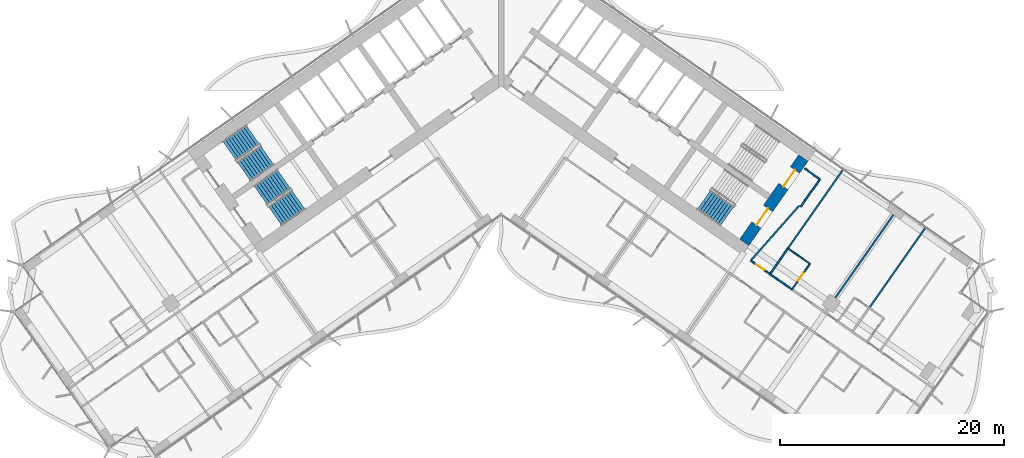
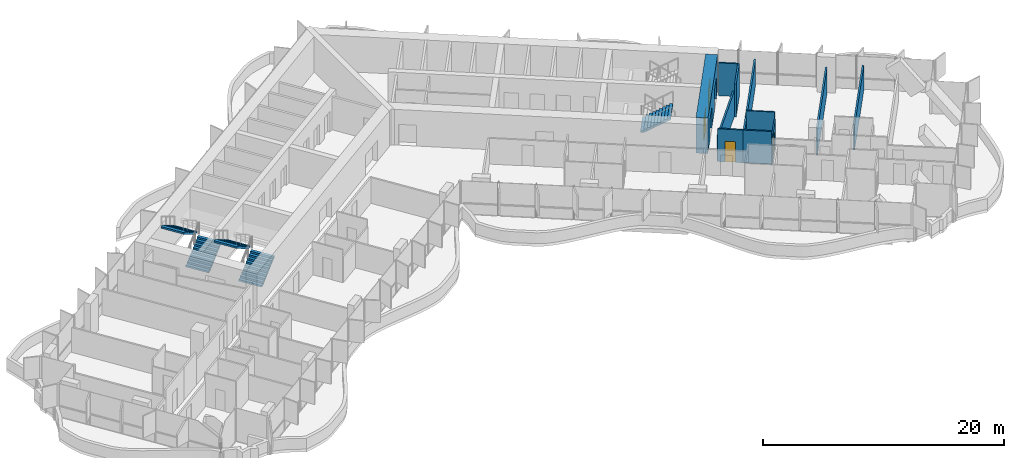
# One storey, part 17 of 24: 12 walls, 5 stair flights, 4 doors, 4 openings, 3 elements without a shape of their own.
"""IFC4 building model written with IfcOpenShell, lengths in metres."""

from ifc_helpers import new_model, si_unit, direction, frame, frame_2d, origin, place, context, subcontext, project, spatial, polyline, rectangle, outline, extrude, material, layer, layer_set, type_object, element, fill, aggregate, save


model = new_model("IFC4")

# Units and contexts
model_context = context("Model", 3, precision=1e-05, world=origin(), true_north=direction((0.0, 1.0)))
body_context = subcontext(model_context, "Body", "Model", "MODEL_VIEW")
ifc_project = project(units=[si_unit("LENGTHUNIT", "METRE"), si_unit("AREAUNIT", "SQUARE_METRE"), si_unit("VOLUMEUNIT", "CUBIC_METRE"), si_unit("PLANEANGLEUNIT", "RADIAN"), si_unit("MASSUNIT", "GRAM", prefix="KILO")], contexts=[model_context])

# Site, building, storey
site_placement = place(None, origin())
site = spatial("IfcSite", under=ifc_project, at=site_placement, CompositionType="ELEMENT")
building_placement = place(site_placement, origin())
building = spatial("IfcBuilding", under=site, at=building_placement, Name="Tel Ilan Convention Tower", CompositionType="ELEMENT")
storey_placement = place(building_placement, frame((0.0, 0.0, 72.5)))
storey = spatial("IfcBuildingStorey", under=building, at=storey_placement, Name="L13", CompositionType="ELEMENT", Elevation=72.5)

# Wall, openings, doors
ifc_material_1 = material(Name="Concrete C60/75", Category="concrete")
ifc_layer_1 = layer(ifc_material_1, 1.0)
ifc_layer_set_1 = layer_set([ifc_layer_1], Name="Core Shear Wall 1000 mm C60/75")
wall_type_1 = type_object("IfcWallType", Name="Core Shear Wall 1000 mm C60/75", PredefinedType="SHEAR", material=ifc_layer_set_1)
wall_1_placement = place(storey_placement, frame((21.70751953125, -15.19970703125, 0.0), z_axis=(0.0, 0.0, 1.0), x_axis=(0.573576324356, 0.819152122709, 0.0)))
wall_1 = element("IfcWall", 1, at=wall_1_placement, inside=storey, type_object=wall_type_1, Name="L13 core wall E-end", PredefinedType="SHEAR", context=body_context, shape_type="SweptSolid", body=[
    extrude(outline(polyline([(9.199951171875, 0.5), (0.0, 0.5), (0.0, -0.5), (9.199951171875, -0.5), (9.199951171875, 0.5)])), origin(), (0.0, 0.0, 1.0), 3.60009765625),
])
opening_1_placement = place(wall_1_placement, frame((6.10009765625, 0.0, 0.0)))
opening_1 = element("IfcOpeningElement", 2, at=opening_1_placement, cuts=wall_1, Name="Opening SD1303", PredefinedType="OPENING", context=body_context, shape_type="SweptSolid", body=[
    extrude(rectangle(XDim=1.800048828125, YDim=2.10009765625, at=frame_2d((0.89990234375, 1.050048828125))), frame((0.0, 0.510009765625, 0.0), z_axis=(0.0, -1.0, 0.0), x_axis=(1.0, 0.0, 0.0)), (0.0, 0.0, 1.0), 1.02001953125),
])
opening_2_placement = place(wall_1_placement, frame((1.89990234375, 0.0, 0.0)))
opening_2 = element("IfcOpeningElement", 3, at=opening_2_placement, cuts=wall_1, Name="Opening SD1304", PredefinedType="OPENING", context=body_context, shape_type="SweptSolid", body=[
    extrude(rectangle(XDim=1.800048828125, YDim=2.10009765625, at=frame_2d((0.89990234375, 1.050048828125))), frame((0.0, 0.510009765625, 0.0), z_axis=(0.0, -1.0, 0.0), x_axis=(1.0, 0.0, 0.0)), (0.0, 0.0, 1.0), 1.02001953125),
])
ifc_material_2 = material(Name="Galvanised Steel Door Leaf", Category="steel")
door_type_1 = type_object("IfcDoorType", Name="Stair Fire Door 1800 x 2100 FD60S", OperationType="NOTDEFINED", PredefinedType="DOOR", material=ifc_material_2)
door_1_placement = place(opening_1_placement, origin())
door_1 = element("IfcDoor", 4, at=door_1_placement, inside=storey, type_object=door_type_1, Name="Stair S3 door", OperationType="DOUBLE_DOOR_SINGLE_SWING", OverallHeight=2.10009765625, OverallWidth=1.800048828125, PredefinedType="DOOR", context=body_context, shape_type="SweptSolid", body=[
    extrude(rectangle(XDim=1.800048828125, YDim=2.10009765625, at=frame_2d((0.89990234375, 1.050048828125))), frame((0.0, 0.02490234375, 0.0), z_axis=(0.0, -1.0, 0.0), x_axis=(1.0, 0.0, 0.0)), (0.0, 0.0, 1.0), 0.050048828125),
])
fill(opening_1, door_1)
door_2_placement = place(opening_2_placement, origin())
door_2 = element("IfcDoor", 5, at=door_2_placement, inside=storey, type_object=door_type_1, Name="Stair S4 door", OperationType="DOUBLE_DOOR_SINGLE_SWING", OverallHeight=2.10009765625, OverallWidth=1.800048828125, PredefinedType="DOOR", context=body_context, shape_type="SweptSolid", body=[
    extrude(rectangle(XDim=1.800048828125, YDim=2.10009765625, at=frame_2d((0.89990234375, 1.050048828125))), frame((0.0, 0.02490234375, 0.0), z_axis=(0.0, -1.0, 0.0), x_axis=(1.0, 0.0, 0.0)), (0.0, 0.0, 1.0), 0.050048828125),
])
fill(opening_2, door_2)

# Wall, opening, door
ifc_material_3 = material(Name="Plasterboard on Steel Studs", Category="steel")
ifc_layer_2 = layer(ifc_material_3, 0.14990234375)
ifc_layer_set_2 = layer_set([ifc_layer_2], Name="Fire-rated Partition 150 EI 60")
wall_type_2 = type_object("IfcWallType", Name="Fire-rated Partition 150 EI 60", PredefinedType="PARTITIONING", material=ifc_layer_set_2)
wall_2_placement = place(storey_placement, frame((22.28369140625, -16.823974609375, 0.0), z_axis=(0.0, 0.0, 1.0), x_axis=(0.819160859995, -0.573563846013, 0.0)))
wall_2 = element("IfcWall", 6, at=wall_2_placement, inside=storey, type_object=wall_type_2, Name="Partition 001", PredefinedType="PARTITIONING", context=body_context, shape_type="SweptSolid", body=[
    extrude(rectangle(XDim=2.098388671875, YDim=0.14990234375, at=frame_2d((1.04931640625, 0.0))), origin(), (0.0, 0.0, 1.0), 3.320068359375),
])
opening_3_placement = place(wall_2_placement, frame((0.59912109375, 0.0, 0.0)))
opening_3 = element("IfcOpeningElement", 7, at=opening_3_placement, cuts=wall_2, Name="Opening L13-030", PredefinedType="OPENING", context=body_context, shape_type="SweptSolid", body=[
    extrude(rectangle(XDim=0.89990234375, YDim=2.10009765625, at=frame_2d((0.449951171875, 1.050048828125))), frame((0.0, 0.0849609375, 0.0), z_axis=(0.0, -1.0, 0.0), x_axis=(1.0, 0.0, 0.0)), (0.0, 0.0, 1.0), 0.169921875),
])
ifc_material_4 = material(Name="Timber Door Leaf in Steel Frame", Category="steel")
door_type_2 = type_object("IfcDoorType", Name="Room Fire Door 900x2100", OperationType="NOTDEFINED", PredefinedType="DOOR", material=ifc_material_4)
door_3_placement = place(opening_3_placement, origin())
door_3 = element("IfcDoor", 8, at=door_3_placement, inside=storey, type_object=door_type_2, Name="Door L13-030", OperationType="SINGLE_SWING_RIGHT", OverallHeight=2.10009765625, OverallWidth=0.89990234375, PredefinedType="DOOR", context=body_context, shape_type="SweptSolid", body=[
    extrude(rectangle(XDim=0.89990234375, YDim=2.10009765625, at=frame_2d((0.449951171875, 1.050048828125))), frame((0.0, 0.02490234375, 0.0), z_axis=(0.0, -1.0, 0.0), x_axis=(1.0, 0.0, 0.0)), (0.0, 0.0, 1.0), 0.050048828125),
])
fill(opening_3, door_3)

# Walls
wall_3_placement = place(storey_placement, frame((23.999267578125, -18.025390625, 0.0), z_axis=(0.0, 0.0, 1.0), x_axis=(0.819146032251, -0.573585022335, 0.0)))
element("IfcWall", 9, at=wall_3_placement, inside=storey, type_object=wall_type_2, Name="Partition 003", PredefinedType="PARTITIONING", context=body_context, shape_type="SweptSolid", body=[
    extrude(rectangle(XDim=2.404052734375, YDim=0.14990234375, at=frame_2d((1.2021484375, 0.0))), origin(), (0.0, 0.0, 1.0), 3.320068359375),
])
wall_4_placement = place(storey_placement, frame((30.482421875, -8.77001953125, 0.0), z_axis=(0.0, 0.0, 1.0), x_axis=(-0.573576058406, -0.819152308929, 0.0)))
element("IfcWall", 10, at=wall_4_placement, inside=storey, type_object=wall_type_2, Name="Partition 038", PredefinedType="PARTITIONING", context=body_context, shape_type="SweptSolid", body=[
    extrude(rectangle(XDim=8.5009765625, YDim=0.14990234375, at=frame_2d((4.25048828125, 0.0))), origin(), (0.0, 0.0, 1.0), 2.60009765625),
])
wall_5_placement = place(storey_placement, frame((25.608154296875, -15.731201171875, 0.0), z_axis=(0.0, 0.0, 1.0), x_axis=(-0.573596837309, -0.819137759006, 0.0)))
element("IfcWall", 11, at=wall_5_placement, inside=storey, type_object=wall_type_2, Name="Partition 039", PredefinedType="PARTITIONING", context=body_context, shape_type="SweptSolid", body=[
    extrude(rectangle(XDim=2.802001953125, YDim=0.14990234375, at=frame_2d((1.40087890625, 0.0))), origin(), (0.0, 0.0, 1.0), 2.60009765625),
])
wall_6_placement = place(storey_placement, frame((22.285400390625, -16.8251953125, 0.0), z_axis=(0.0, 0.0, 1.0), x_axis=(0.661551268245, 0.749899939647, 0.0)))
element("IfcWall", 12, at=wall_6_placement, inside=storey, type_object=wall_type_2, Name="Partition 040", PredefinedType="PARTITIONING", context=body_context, shape_type="SweptSolid", body=[
    extrude(rectangle(XDim=6.541015625, YDim=0.14990234375, at=frame_2d((3.2705078125, 0.0))), origin(), (0.0, 0.0, 1.0), 2.60009765625),
])
wall_7_placement = place(storey_placement, frame((26.74609375, -12.013671875, 0.0), z_axis=(0.0, 0.0, 1.0), x_axis=(0.573560650686, 0.819163097304, 0.0)))
element("IfcWall", 13, at=wall_7_placement, inside=storey, type_object=wall_type_2, Name="Partition 041", PredefinedType="PARTITIONING", context=body_context, shape_type="SweptSolid", body=[
    extrude(rectangle(XDim=3.0, YDim=0.14990234375, at=frame_2d((1.5, 0.0))), origin(), (0.0, 0.0, 1.0), 3.320068359375),
])
wall_8_placement = place(storey_placement, frame((28.466796875, -9.55615234375, 0.0), z_axis=(0.0, 0.0, 1.0), x_axis=(-0.819109000826, 0.573637903879, 0.0)))
element("IfcWall", 14, at=wall_8_placement, inside=storey, type_object=wall_type_2, Name="Partition 042", PredefinedType="PARTITIONING", context=body_context, shape_type="SweptSolid", body=[
    extrude(rectangle(XDim=1.679931640625, YDim=0.14990234375, at=frame_2d((0.83984375, 0.0))), origin(), (0.0, 0.0, 1.0), 3.320068359375),
])
wall_9_placement = place(storey_placement, frame((35.012939453125, -12.76025390625, 0.0), z_axis=(0.0, 0.0, 1.0), x_axis=(-0.573558725113, -0.819164445546, 0.0)))
element("IfcWall", 15, at=wall_9_placement, inside=storey, type_object=wall_type_2, Name="Partition 045", PredefinedType="PARTITIONING", context=body_context, shape_type="SweptSolid", body=[
    extrude(rectangle(XDim=9.010009765625, YDim=0.14990234375, at=frame_2d((4.5048828125, 0.0))), origin(), (0.0, 0.0, 1.0), 2.60009765625),
])
wall_10_placement = place(storey_placement, frame((37.854736328125, -13.93212890625, 0.0), z_axis=(0.0, 0.0, 1.0), x_axis=(-0.573564051961, -0.819160715792, 0.0)))
element("IfcWall", 16, at=wall_10_placement, inside=storey, type_object=wall_type_2, Name="Partition 049", PredefinedType="PARTITIONING", context=body_context, shape_type="SweptSolid", body=[
    extrude(rectangle(XDim=8.69921875, YDim=0.14990234375, at=frame_2d((4.349609375, 0.0))), origin(), (0.0, 0.0, 1.0), 2.5),
])

# Wall, opening, door
ifc_material_5 = material(Name="Plasterboard on Steel Studs", Category="steel")
ifc_layer_3 = layer(ifc_material_5, 0.1201171875)
ifc_layer_set_3 = layer_set([ifc_layer_3], Name="Moisture-resistant Partition 120")
wall_type_3 = type_object("IfcWallType", Name="Moisture-resistant Partition 120", PredefinedType="PARTITIONING", material=ifc_layer_set_3)
wall_11_placement = place(storey_placement, frame((25.9677734375, -19.403564453125, 0.0), z_axis=(0.0, 0.0, 1.0), x_axis=(0.573591086599, 0.819141785879, 0.0)))
wall_11 = element("IfcWall", 17, at=wall_11_placement, inside=storey, type_object=wall_type_3, Name="Partition 043", PredefinedType="PARTITIONING", context=body_context, shape_type="SweptSolid", body=[
    extrude(rectangle(XDim=2.7998046875, YDim=0.1201171875, at=frame_2d((1.39990234375, 0.0))), origin(), (0.0, 0.0, 1.0), 2.60009765625),
])
opening_4_placement = place(wall_11_placement, frame((0.97509765625, 0.0, 0.0)))
opening_4 = element("IfcOpeningElement", 18, at=opening_4_placement, cuts=wall_11, Name="Opening L13-031", PredefinedType="OPENING", context=body_context, shape_type="SweptSolid", body=[
    extrude(rectangle(XDim=0.85009765625, YDim=2.050048828125, at=frame_2d((0.425048828125, 1.02490234375))), frame((0.0, 0.070068359375, 0.0), z_axis=(0.0, -1.0, 0.0), x_axis=(1.0, 0.0, 0.0)), (0.0, 0.0, 1.0), 0.14013671875),
])
ifc_material_6 = material(Name="Timber Door Leaf in Steel Frame", Category="steel")
door_type_3 = type_object("IfcDoorType", Name="Bathroom Timber Door 850x2050", OperationType="NOTDEFINED", PredefinedType="DOOR", material=ifc_material_6)
door_4_placement = place(opening_4_placement, origin())
door_4 = element("IfcDoor", 19, at=door_4_placement, inside=storey, type_object=door_type_3, Name="Door L13-031", OperationType="SINGLE_SWING_LEFT", OverallHeight=2.050048828125, OverallWidth=0.85009765625, PredefinedType="DOOR", context=body_context, shape_type="SweptSolid", body=[
    extrude(rectangle(XDim=0.85009765625, YDim=2.050048828125, at=frame_2d((0.425048828125, 1.02490234375))), frame((0.0, 0.02490234375, 0.0), z_axis=(0.0, -1.0, 0.0), x_axis=(1.0, 0.0, 0.0)), (0.0, 0.0, 1.0), 0.050048828125),
])
fill(opening_4, door_4)

# Wall
wall_12_placement = place(storey_placement, frame((27.573486328125, -17.108642578125, 0.0), z_axis=(0.0, 0.0, 1.0), x_axis=(-0.819107643868, 0.573639841501, 0.0)))
element("IfcWall", 20, at=wall_12_placement, inside=storey, type_object=wall_type_3, Name="Partition 044", PredefinedType="PARTITIONING", context=body_context, shape_type="SweptSolid", body=[
    extrude(rectangle(XDim=2.39990234375, YDim=0.1201171875, at=frame_2d((1.199951171875, 0.0))), origin(), (0.0, 0.0, 1.0), 3.320068359375),
])

# Stair, stair flights
ifc_material_7 = material(Name="Concrete C40/50", Category="concrete")
stair_type = type_object("IfcStairType", Name="Pressurised Exit Stair 20 risers 180 mm", PredefinedType="HALF_TURN_STAIR", material=ifc_material_7)
stair_1_placement = place(storey_placement, origin())
stair_1 = element("IfcStair", 21, at=stair_1_placement, inside=storey, type_object=stair_type, Name="L13 Pressurised Stair S1", PredefinedType="HALF_TURN_STAIR")
ifc_material_8 = material(Name="Precast Concrete C40/50", Category="concrete")
stair_flight_type = type_object("IfcStairFlightType", Name="Concrete Stair Flight 2100 mm 20 risers 180 mm", PredefinedType="STRAIGHT", material=ifc_material_8)
stair_flight_1_placement = place(storey_placement, frame((-22.9619140625, -8.87548828125, 0.0), z_axis=(0.0, 0.0, 1.0), x_axis=(0.819152044289, 0.573576436351, 0.0)))
stair_flight_1 = element("IfcStairFlight", 22, at=stair_flight_1_placement, type_object=stair_flight_type, Name="S1 flight 1", NumberOfRisers=10, NumberOfTreads=9, PredefinedType="STRAIGHT", RiserHeight=0.18, TreadLength=0.28, context=body_context, shape_type="SweptSolid", body=[
    extrude(outline(polyline([(0.0, 0.0), (0.0, 0.179931640625), (0.280029296875, 0.179931640625), (0.280029296875, 0.360107421875), (0.56005859375, 0.360107421875), (0.56005859375, 0.5400390625), (0.840087890625, 0.5400390625), (0.840087890625, 0.719970703125), (1.1201171875, 0.719970703125), (1.1201171875, 0.89990234375), (1.39990234375, 0.89990234375), (1.39990234375, 1.080078125), (1.679931640625, 1.080078125), (1.679931640625, 1.260009765625), (1.9599609375, 1.260009765625), (1.9599609375, 1.43994140625), (2.239990234375, 1.43994140625), (2.239990234375, 1.6201171875), (2.52001953125, 1.6201171875), (2.52001953125, 1.800048828125), (2.52001953125, 1.44189453125), (0.277099609375, 0.0), (0.0, 0.0)])), frame((0.0, -0.100341796875, 0.0), z_axis=(0.0, -1.0, 0.0), x_axis=(1.0, 0.0, 0.0)), (0.0, 0.0, 1.0), 0.94970703125),
    extrude(outline(polyline([(0.0, 0.0), (0.0, 0.179931640625), (0.280029296875, 0.179931640625), (0.280029296875, 0.360107421875), (0.56005859375, 0.360107421875), (0.56005859375, 0.5400390625), (0.840087890625, 0.5400390625), (0.840087890625, 0.719970703125), (1.1201171875, 0.719970703125), (1.1201171875, 0.89990234375), (1.39990234375, 0.89990234375), (1.39990234375, 1.080078125), (1.679931640625, 1.080078125), (1.679931640625, 1.260009765625), (1.9599609375, 1.260009765625), (1.9599609375, 1.43994140625), (2.239990234375, 1.43994140625), (2.239990234375, 1.6201171875), (2.52001953125, 1.6201171875), (2.52001953125, 1.800048828125), (2.52001953125, 1.44189453125), (0.277099609375, 0.0), (0.0, 0.0)])), frame((0.0, -0.000244140625, 0.0), z_axis=(0.0, -1.0, 0.0), x_axis=(1.0, 0.0, 0.0)), (0.0, 0.0, 1.0), 0.099609375),
    extrude(outline(polyline([(0.0, 0.0), (0.0, 0.179931640625), (0.280029296875, 0.179931640625), (0.280029296875, 0.360107421875), (0.56005859375, 0.360107421875), (0.56005859375, 0.5400390625), (0.840087890625, 0.5400390625), (0.840087890625, 0.719970703125), (1.1201171875, 0.719970703125), (1.1201171875, 0.89990234375), (1.39990234375, 0.89990234375), (1.39990234375, 1.080078125), (1.679931640625, 1.080078125), (1.679931640625, 1.260009765625), (1.9599609375, 1.260009765625), (1.9599609375, 1.43994140625), (2.239990234375, 1.43994140625), (2.239990234375, 1.6201171875), (2.52001953125, 1.6201171875), (2.52001953125, 1.800048828125), (2.52001953125, 1.44189453125), (0.277099609375, 0.0), (0.0, 0.0)])), frame((0.0, 0.099853515625, 0.0), z_axis=(0.0, -1.0, 0.0), x_axis=(1.0, 0.0, 0.0)), (0.0, 0.0, 1.0), 0.099609375),
    extrude(outline(polyline([(0.0, 0.0), (0.0, 0.179931640625), (0.280029296875, 0.179931640625), (0.280029296875, 0.360107421875), (0.56005859375, 0.360107421875), (0.56005859375, 0.5400390625), (0.840087890625, 0.5400390625), (0.840087890625, 0.719970703125), (1.1201171875, 0.719970703125), (1.1201171875, 0.89990234375), (1.39990234375, 0.89990234375), (1.39990234375, 1.080078125), (1.679931640625, 1.080078125), (1.679931640625, 1.260009765625), (1.9599609375, 1.260009765625), (1.9599609375, 1.43994140625), (2.239990234375, 1.43994140625), (2.239990234375, 1.6201171875), (2.52001953125, 1.6201171875), (2.52001953125, 1.800048828125), (2.52001953125, 1.44189453125), (0.277099609375, 0.0), (0.0, 0.0)])), frame((0.0, 1.050048828125, 0.0), z_axis=(0.0, -1.0, 0.0), x_axis=(1.0, 0.0, 0.0)), (0.0, 0.0, 1.0), 0.94970703125),
])
stair_flight_2_placement = place(storey_placement, frame((-22.188232421875, -5.5869140625, 1.800048828125), z_axis=(0.0, 0.0, 1.0), x_axis=(-0.819152044289, -0.573576436351, 0.0)))
stair_flight_2 = element("IfcStairFlight", 23, at=stair_flight_2_placement, type_object=stair_flight_type, Name="S1 flight 2", NumberOfRisers=10, NumberOfTreads=9, PredefinedType="STRAIGHT", RiserHeight=0.18, TreadLength=0.28, context=body_context, shape_type="SweptSolid", body=[
    extrude(outline(polyline([(0.0, 0.0), (0.0, 0.179931640625), (0.280029296875, 0.179931640625), (0.280029296875, 0.360107421875), (0.56005859375, 0.360107421875), (0.56005859375, 0.5400390625), (0.840087890625, 0.5400390625), (0.840087890625, 0.719970703125), (1.1201171875, 0.719970703125), (1.1201171875, 0.89990234375), (1.39990234375, 0.89990234375), (1.39990234375, 1.080078125), (1.679931640625, 1.080078125), (1.679931640625, 1.260009765625), (1.9599609375, 1.260009765625), (1.9599609375, 1.43994140625), (2.239990234375, 1.43994140625), (2.239990234375, 1.6201171875), (2.52001953125, 1.6201171875), (2.52001953125, 1.800048828125), (2.52001953125, 1.44189453125), (0.277099609375, 0.0), (0.0, 0.0)])), frame((0.0, -0.100341796875, 0.0), z_axis=(0.0, -1.0, 0.0), x_axis=(1.0, 0.0, 0.0)), (0.0, 0.0, 1.0), 0.94970703125),
    extrude(outline(polyline([(0.0, 0.0), (0.0, 0.179931640625), (0.280029296875, 0.179931640625), (0.280029296875, 0.360107421875), (0.56005859375, 0.360107421875), (0.56005859375, 0.5400390625), (0.840087890625, 0.5400390625), (0.840087890625, 0.719970703125), (1.1201171875, 0.719970703125), (1.1201171875, 0.89990234375), (1.39990234375, 0.89990234375), (1.39990234375, 1.080078125), (1.679931640625, 1.080078125), (1.679931640625, 1.260009765625), (1.9599609375, 1.260009765625), (1.9599609375, 1.43994140625), (2.239990234375, 1.43994140625), (2.239990234375, 1.6201171875), (2.52001953125, 1.6201171875), (2.52001953125, 1.800048828125), (2.52001953125, 1.44189453125), (0.277099609375, 0.0), (0.0, 0.0)])), frame((0.0, -0.000244140625, 0.0), z_axis=(0.0, -1.0, 0.0), x_axis=(1.0, 0.0, 0.0)), (0.0, 0.0, 1.0), 0.099609375),
    extrude(outline(polyline([(0.0, 0.0), (0.0, 0.179931640625), (0.280029296875, 0.179931640625), (0.280029296875, 0.360107421875), (0.56005859375, 0.360107421875), (0.56005859375, 0.5400390625), (0.840087890625, 0.5400390625), (0.840087890625, 0.719970703125), (1.1201171875, 0.719970703125), (1.1201171875, 0.89990234375), (1.39990234375, 0.89990234375), (1.39990234375, 1.080078125), (1.679931640625, 1.080078125), (1.679931640625, 1.260009765625), (1.9599609375, 1.260009765625), (1.9599609375, 1.43994140625), (2.239990234375, 1.43994140625), (2.239990234375, 1.6201171875), (2.52001953125, 1.6201171875), (2.52001953125, 1.800048828125), (2.52001953125, 1.44189453125), (0.277099609375, 0.0), (0.0, 0.0)])), frame((0.0, 0.099853515625, 0.0), z_axis=(0.0, -1.0, 0.0), x_axis=(1.0, 0.0, 0.0)), (0.0, 0.0, 1.0), 0.099609375),
    extrude(outline(polyline([(0.0, 0.0), (0.0, 0.179931640625), (0.280029296875, 0.179931640625), (0.280029296875, 0.360107421875), (0.56005859375, 0.360107421875), (0.56005859375, 0.5400390625), (0.840087890625, 0.5400390625), (0.840087890625, 0.719970703125), (1.1201171875, 0.719970703125), (1.1201171875, 0.89990234375), (1.39990234375, 0.89990234375), (1.39990234375, 1.080078125), (1.679931640625, 1.080078125), (1.679931640625, 1.260009765625), (1.9599609375, 1.260009765625), (1.9599609375, 1.43994140625), (2.239990234375, 1.43994140625), (2.239990234375, 1.6201171875), (2.52001953125, 1.6201171875), (2.52001953125, 1.800048828125), (2.52001953125, 1.44189453125), (0.277099609375, 0.0), (0.0, 0.0)])), frame((0.0, 1.050048828125, 0.0), z_axis=(0.0, -1.0, 0.0), x_axis=(1.0, 0.0, 0.0)), (0.0, 0.0, 1.0), 0.94970703125),
])
aggregate(stair_1, [stair_flight_1, stair_flight_2])

stair_2_placement = place(storey_placement, origin())
stair_2 = element("IfcStair", 24, at=stair_2_placement, inside=storey, type_object=stair_type, Name="L13 Pressurised Stair S2", PredefinedType="HALF_TURN_STAIR")
stair_flight_3_placement = place(storey_placement, frame((-20.179931640625, -12.848388671875, 0.0), z_axis=(0.0, 0.0, 1.0), x_axis=(0.819152044289, 0.573576436351, 0.0)))
stair_flight_3 = element("IfcStairFlight", 25, at=stair_flight_3_placement, type_object=stair_flight_type, Name="S2 flight 1", NumberOfRisers=10, NumberOfTreads=9, PredefinedType="STRAIGHT", RiserHeight=0.18, TreadLength=0.28, context=body_context, shape_type="SweptSolid", body=[
    extrude(outline(polyline([(0.0, 0.0), (0.0, 0.179931640625), (0.280029296875, 0.179931640625), (0.280029296875, 0.360107421875), (0.56005859375, 0.360107421875), (0.56005859375, 0.5400390625), (0.840087890625, 0.5400390625), (0.840087890625, 0.719970703125), (1.1201171875, 0.719970703125), (1.1201171875, 0.89990234375), (1.39990234375, 0.89990234375), (1.39990234375, 1.080078125), (1.679931640625, 1.080078125), (1.679931640625, 1.260009765625), (1.9599609375, 1.260009765625), (1.9599609375, 1.43994140625), (2.239990234375, 1.43994140625), (2.239990234375, 1.6201171875), (2.52001953125, 1.6201171875), (2.52001953125, 1.800048828125), (2.52001953125, 1.44189453125), (0.277099609375, 0.0), (0.0, 0.0)])), frame((0.0, -0.100341796875, 0.0), z_axis=(0.0, -1.0, 0.0), x_axis=(1.0, 0.0, 0.0)), (0.0, 0.0, 1.0), 0.94970703125),
    extrude(outline(polyline([(0.0, 0.0), (0.0, 0.179931640625), (0.280029296875, 0.179931640625), (0.280029296875, 0.360107421875), (0.56005859375, 0.360107421875), (0.56005859375, 0.5400390625), (0.840087890625, 0.5400390625), (0.840087890625, 0.719970703125), (1.1201171875, 0.719970703125), (1.1201171875, 0.89990234375), (1.39990234375, 0.89990234375), (1.39990234375, 1.080078125), (1.679931640625, 1.080078125), (1.679931640625, 1.260009765625), (1.9599609375, 1.260009765625), (1.9599609375, 1.43994140625), (2.239990234375, 1.43994140625), (2.239990234375, 1.6201171875), (2.52001953125, 1.6201171875), (2.52001953125, 1.800048828125), (2.52001953125, 1.44189453125), (0.277099609375, 0.0), (0.0, 0.0)])), frame((0.0, -0.000244140625, 0.0), z_axis=(0.0, -1.0, 0.0), x_axis=(1.0, 0.0, 0.0)), (0.0, 0.0, 1.0), 0.099609375),
    extrude(outline(polyline([(0.0, 0.0), (0.0, 0.179931640625), (0.280029296875, 0.179931640625), (0.280029296875, 0.360107421875), (0.56005859375, 0.360107421875), (0.56005859375, 0.5400390625), (0.840087890625, 0.5400390625), (0.840087890625, 0.719970703125), (1.1201171875, 0.719970703125), (1.1201171875, 0.89990234375), (1.39990234375, 0.89990234375), (1.39990234375, 1.080078125), (1.679931640625, 1.080078125), (1.679931640625, 1.260009765625), (1.9599609375, 1.260009765625), (1.9599609375, 1.43994140625), (2.239990234375, 1.43994140625), (2.239990234375, 1.6201171875), (2.52001953125, 1.6201171875), (2.52001953125, 1.800048828125), (2.52001953125, 1.44189453125), (0.277099609375, 0.0), (0.0, 0.0)])), frame((0.0, 0.099853515625, 0.0), z_axis=(0.0, -1.0, 0.0), x_axis=(1.0, 0.0, 0.0)), (0.0, 0.0, 1.0), 0.099609375),
    extrude(outline(polyline([(0.0, 0.0), (0.0, 0.179931640625), (0.280029296875, 0.179931640625), (0.280029296875, 0.360107421875), (0.56005859375, 0.360107421875), (0.56005859375, 0.5400390625), (0.840087890625, 0.5400390625), (0.840087890625, 0.719970703125), (1.1201171875, 0.719970703125), (1.1201171875, 0.89990234375), (1.39990234375, 0.89990234375), (1.39990234375, 1.080078125), (1.679931640625, 1.080078125), (1.679931640625, 1.260009765625), (1.9599609375, 1.260009765625), (1.9599609375, 1.43994140625), (2.239990234375, 1.43994140625), (2.239990234375, 1.6201171875), (2.52001953125, 1.6201171875), (2.52001953125, 1.800048828125), (2.52001953125, 1.44189453125), (0.277099609375, 0.0), (0.0, 0.0)])), frame((0.0, 1.050048828125, 0.0), z_axis=(0.0, -1.0, 0.0), x_axis=(1.0, 0.0, 0.0)), (0.0, 0.0, 1.0), 0.94970703125),
])
stair_flight_4_placement = place(storey_placement, frame((-19.40625, -9.559814453125, 1.800048828125), z_axis=(0.0, 0.0, 1.0), x_axis=(-0.819152044289, -0.573576436351, 0.0)))
stair_flight_4 = element("IfcStairFlight", 26, at=stair_flight_4_placement, type_object=stair_flight_type, Name="S2 flight 2", NumberOfRisers=10, NumberOfTreads=9, PredefinedType="STRAIGHT", RiserHeight=0.18, TreadLength=0.28, context=body_context, shape_type="SweptSolid", body=[
    extrude(outline(polyline([(0.0, 0.0), (0.0, 0.179931640625), (0.280029296875, 0.179931640625), (0.280029296875, 0.360107421875), (0.56005859375, 0.360107421875), (0.56005859375, 0.5400390625), (0.840087890625, 0.5400390625), (0.840087890625, 0.719970703125), (1.1201171875, 0.719970703125), (1.1201171875, 0.89990234375), (1.39990234375, 0.89990234375), (1.39990234375, 1.080078125), (1.679931640625, 1.080078125), (1.679931640625, 1.260009765625), (1.9599609375, 1.260009765625), (1.9599609375, 1.43994140625), (2.239990234375, 1.43994140625), (2.239990234375, 1.6201171875), (2.52001953125, 1.6201171875), (2.52001953125, 1.800048828125), (2.52001953125, 1.44189453125), (0.277099609375, 0.0), (0.0, 0.0)])), frame((0.0, -0.100341796875, 0.0), z_axis=(0.0, -1.0, 0.0), x_axis=(1.0, 0.0, 0.0)), (0.0, 0.0, 1.0), 0.94970703125),
    extrude(outline(polyline([(0.0, 0.0), (0.0, 0.179931640625), (0.280029296875, 0.179931640625), (0.280029296875, 0.360107421875), (0.56005859375, 0.360107421875), (0.56005859375, 0.5400390625), (0.840087890625, 0.5400390625), (0.840087890625, 0.719970703125), (1.1201171875, 0.719970703125), (1.1201171875, 0.89990234375), (1.39990234375, 0.89990234375), (1.39990234375, 1.080078125), (1.679931640625, 1.080078125), (1.679931640625, 1.260009765625), (1.9599609375, 1.260009765625), (1.9599609375, 1.43994140625), (2.239990234375, 1.43994140625), (2.239990234375, 1.6201171875), (2.52001953125, 1.6201171875), (2.52001953125, 1.800048828125), (2.52001953125, 1.44189453125), (0.277099609375, 0.0), (0.0, 0.0)])), frame((0.0, -0.000244140625, 0.0), z_axis=(0.0, -1.0, 0.0), x_axis=(1.0, 0.0, 0.0)), (0.0, 0.0, 1.0), 0.099609375),
    extrude(outline(polyline([(0.0, 0.0), (0.0, 0.179931640625), (0.280029296875, 0.179931640625), (0.280029296875, 0.360107421875), (0.56005859375, 0.360107421875), (0.56005859375, 0.5400390625), (0.840087890625, 0.5400390625), (0.840087890625, 0.719970703125), (1.1201171875, 0.719970703125), (1.1201171875, 0.89990234375), (1.39990234375, 0.89990234375), (1.39990234375, 1.080078125), (1.679931640625, 1.080078125), (1.679931640625, 1.260009765625), (1.9599609375, 1.260009765625), (1.9599609375, 1.43994140625), (2.239990234375, 1.43994140625), (2.239990234375, 1.6201171875), (2.52001953125, 1.6201171875), (2.52001953125, 1.800048828125), (2.52001953125, 1.44189453125), (0.277099609375, 0.0), (0.0, 0.0)])), frame((0.0, 0.099853515625, 0.0), z_axis=(0.0, -1.0, 0.0), x_axis=(1.0, 0.0, 0.0)), (0.0, 0.0, 1.0), 0.099609375),
    extrude(outline(polyline([(0.0, 0.0), (0.0, 0.179931640625), (0.280029296875, 0.179931640625), (0.280029296875, 0.360107421875), (0.56005859375, 0.360107421875), (0.56005859375, 0.5400390625), (0.840087890625, 0.5400390625), (0.840087890625, 0.719970703125), (1.1201171875, 0.719970703125), (1.1201171875, 0.89990234375), (1.39990234375, 0.89990234375), (1.39990234375, 1.080078125), (1.679931640625, 1.080078125), (1.679931640625, 1.260009765625), (1.9599609375, 1.260009765625), (1.9599609375, 1.43994140625), (2.239990234375, 1.43994140625), (2.239990234375, 1.6201171875), (2.52001953125, 1.6201171875), (2.52001953125, 1.800048828125), (2.52001953125, 1.44189453125), (0.277099609375, 0.0), (0.0, 0.0)])), frame((0.0, 1.050048828125, 0.0), z_axis=(0.0, -1.0, 0.0), x_axis=(1.0, 0.0, 0.0)), (0.0, 0.0, 1.0), 0.94970703125),
])
aggregate(stair_2, [stair_flight_3, stair_flight_4])

# Stair, stair flight
stair_3_placement = place(storey_placement, origin())
stair_3 = element("IfcStair", 27, at=stair_3_placement, inside=storey, type_object=stair_type, Name="L13 Pressurised Stair S4", PredefinedType="HALF_TURN_STAIR")
stair_flight_5_placement = place(storey_placement, frame((18.11572265625, -11.403076171875, 1.800048828125), z_axis=(0.0, 0.0, 1.0), x_axis=(0.819152044289, -0.573576436351, 0.0)))
stair_flight_5 = element("IfcStairFlight", 28, at=stair_flight_5_placement, type_object=stair_flight_type, Name="S4 flight 2", NumberOfRisers=10, NumberOfTreads=9, PredefinedType="STRAIGHT", RiserHeight=0.18, TreadLength=0.28, context=body_context, shape_type="SweptSolid", body=[
    extrude(outline(polyline([(0.0, 0.0), (0.0, 0.179931640625), (0.280029296875, 0.179931640625), (0.280029296875, 0.360107421875), (0.56005859375, 0.360107421875), (0.56005859375, 0.5400390625), (0.840087890625, 0.5400390625), (0.840087890625, 0.719970703125), (1.1201171875, 0.719970703125), (1.1201171875, 0.89990234375), (1.39990234375, 0.89990234375), (1.39990234375, 1.080078125), (1.679931640625, 1.080078125), (1.679931640625, 1.260009765625), (1.9599609375, 1.260009765625), (1.9599609375, 1.43994140625), (2.239990234375, 1.43994140625), (2.239990234375, 1.6201171875), (2.52001953125, 1.6201171875), (2.52001953125, 1.800048828125), (2.52001953125, 1.44189453125), (0.277099609375, 0.0), (0.0, 0.0)])), frame((0.0, -0.100341796875, 0.0), z_axis=(0.0, -1.0, 0.0), x_axis=(1.0, 0.0, 0.0)), (0.0, 0.0, 1.0), 0.94970703125),
    extrude(outline(polyline([(0.0, 0.0), (0.0, 0.179931640625), (0.280029296875, 0.179931640625), (0.280029296875, 0.360107421875), (0.56005859375, 0.360107421875), (0.56005859375, 0.5400390625), (0.840087890625, 0.5400390625), (0.840087890625, 0.719970703125), (1.1201171875, 0.719970703125), (1.1201171875, 0.89990234375), (1.39990234375, 0.89990234375), (1.39990234375, 1.080078125), (1.679931640625, 1.080078125), (1.679931640625, 1.260009765625), (1.9599609375, 1.260009765625), (1.9599609375, 1.43994140625), (2.239990234375, 1.43994140625), (2.239990234375, 1.6201171875), (2.52001953125, 1.6201171875), (2.52001953125, 1.800048828125), (2.52001953125, 1.44189453125), (0.277099609375, 0.0), (0.0, 0.0)])), frame((0.0, -0.000244140625, 0.0), z_axis=(0.0, -1.0, 0.0), x_axis=(1.0, 0.0, 0.0)), (0.0, 0.0, 1.0), 0.099609375),
    extrude(outline(polyline([(0.0, 0.0), (0.0, 0.179931640625), (0.280029296875, 0.179931640625), (0.280029296875, 0.360107421875), (0.56005859375, 0.360107421875), (0.56005859375, 0.5400390625), (0.840087890625, 0.5400390625), (0.840087890625, 0.719970703125), (1.1201171875, 0.719970703125), (1.1201171875, 0.89990234375), (1.39990234375, 0.89990234375), (1.39990234375, 1.080078125), (1.679931640625, 1.080078125), (1.679931640625, 1.260009765625), (1.9599609375, 1.260009765625), (1.9599609375, 1.43994140625), (2.239990234375, 1.43994140625), (2.239990234375, 1.6201171875), (2.52001953125, 1.6201171875), (2.52001953125, 1.800048828125), (2.52001953125, 1.44189453125), (0.277099609375, 0.0), (0.0, 0.0)])), frame((0.0, 0.099853515625, 0.0), z_axis=(0.0, -1.0, 0.0), x_axis=(1.0, 0.0, 0.0)), (0.0, 0.0, 1.0), 0.099609375),
    extrude(outline(polyline([(0.0, 0.0), (0.0, 0.179931640625), (0.280029296875, 0.179931640625), (0.280029296875, 0.360107421875), (0.56005859375, 0.360107421875), (0.56005859375, 0.5400390625), (0.840087890625, 0.5400390625), (0.840087890625, 0.719970703125), (1.1201171875, 0.719970703125), (1.1201171875, 0.89990234375), (1.39990234375, 0.89990234375), (1.39990234375, 1.080078125), (1.679931640625, 1.080078125), (1.679931640625, 1.260009765625), (1.9599609375, 1.260009765625), (1.9599609375, 1.43994140625), (2.239990234375, 1.43994140625), (2.239990234375, 1.6201171875), (2.52001953125, 1.6201171875), (2.52001953125, 1.800048828125), (2.52001953125, 1.44189453125), (0.277099609375, 0.0), (0.0, 0.0)])), frame((0.0, 1.050048828125, 0.0), z_axis=(0.0, -1.0, 0.0), x_axis=(1.0, 0.0, 0.0)), (0.0, 0.0, 1.0), 0.94970703125),
])
aggregate(stair_3, [stair_flight_5])

save(model, "model.ifc")
